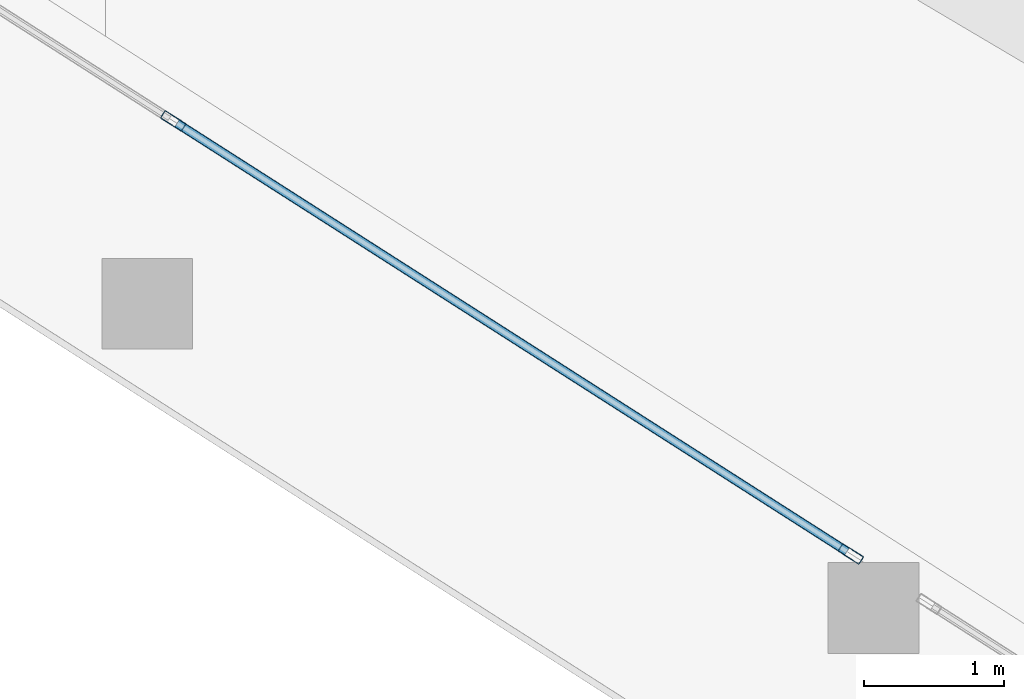
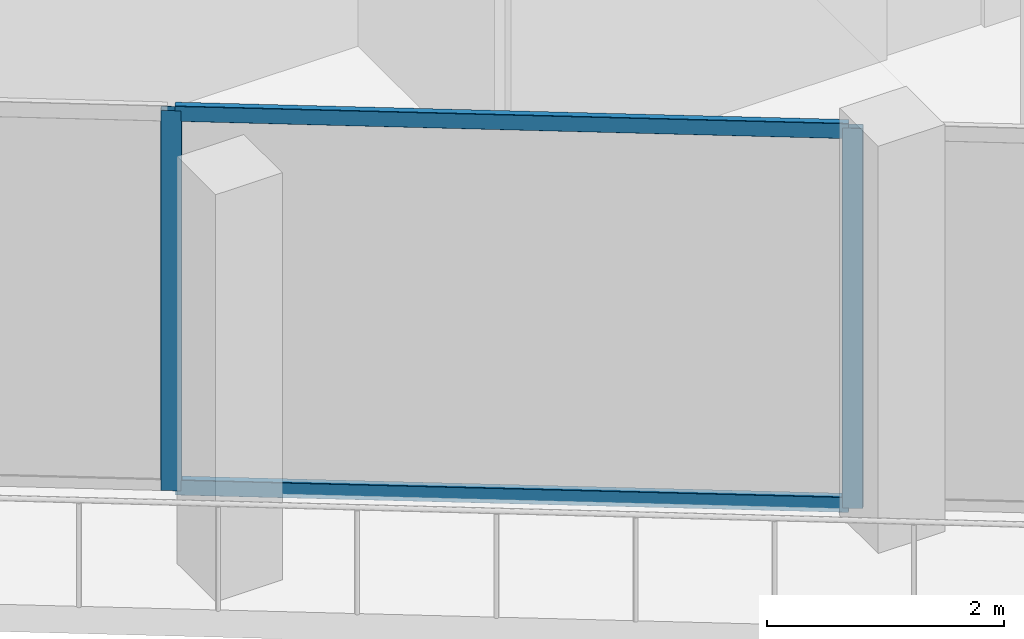
# One storey, part 5 of 44: 4 members, 1 element without a shape of its own.
"""IFC4 building model written with IfcOpenShell, lengths in metres."""

from ifc_helpers import new_model, si_unit, direction, frame, origin, origin_2d, place, context, subcontext, project, spatial, hollow_rectangle, extrude, material, layer, layer_set, material_profile, profile_set, type_object, element, aggregate, save


model = new_model("IFC4")

# Units and contexts
model_context = context("Model", 3, precision=1e-05, world=origin(), true_north=direction((0.0, 1.0)))
body_context = subcontext(model_context, "Body", "Model", "MODEL_VIEW")
ifc_project = project(units=[si_unit("LENGTHUNIT", "METRE"), si_unit("AREAUNIT", "SQUARE_METRE"), si_unit("VOLUMEUNIT", "CUBIC_METRE"), si_unit("PLANEANGLEUNIT", "RADIAN"), si_unit("MASSUNIT", "GRAM", prefix="KILO")], contexts=[model_context])

# Site, building, storey
site_placement = place(None, origin())
site = spatial("IfcSite", under=ifc_project, at=site_placement, CompositionType="ELEMENT")
building_placement = place(site_placement, origin())
building = spatial("IfcBuilding", under=site, at=building_placement, Name="Qorvath Tower", CompositionType="ELEMENT")
storey_placement = place(building_placement, frame((0.0, 0.0, 57.60009765625)))
storey = spatial("IfcBuildingStorey", under=building, at=storey_placement, Name="L12", CompositionType="ELEMENT", Elevation=57.60009765625)

# Curtain wall, members
ifc_material_1 = material(Name="Anodised aluminium and triple low-E glass", Category="aluminium")
ifc_layer = layer(ifc_material_1, 0.179931640625)
ifc_layer_set = layer_set([ifc_layer], Name="CW-SYS-2")
curtain_wall_type = type_object("IfcCurtainWallType", Name="CW-SYS-2", PredefinedType="NOTDEFINED", material=ifc_layer_set)
curtain_wall_placement = place(storey_placement, origin())
curtain_wall = element("IfcCurtainWall", 1, at=curtain_wall_placement, inside=storey, type_object=curtain_wall_type, Name="Curtain Wall CW-2 CW-T-L12-2.1", PredefinedType="NOTDEFINED")
ifc_material_2 = material(Name="Anodised aluminium 6063-T6", Category="aluminium")
ifc_material_profile_1 = material_profile(ifc_material_2, hollow_rectangle(XDim=0.06494140625, YDim=0.179931640625, WallThickness=0.00341796875, InnerFilletRadius=0.00341796875, OuterFilletRadius=0.007080078125, at=origin_2d()), Name="CWM 180x65")
ifc_profile_set_1 = profile_set([ifc_material_profile_1], Name="Anodised aluminium 6063-T6")
member_type_1 = type_object("IfcMemberType", Name="CWM-180", PredefinedType="MULLION", material=ifc_profile_set_1)
member_1_placement = place(storey_placement, frame((-45.350341796875, -13.465087890625, 0.0), z_axis=(0.0, 0.0, 1.0), x_axis=(0.53852960651, 0.842606588458, 0.0)))
member_1 = element("IfcMember", 2, at=member_1_placement, type_object=member_type_1, Name="CW-2 mullion 4", PredefinedType="MULLION", context=body_context, shape_type="SweptSolid", body=[
    extrude(hollow_rectangle(XDim=0.06494140625, YDim=0.179931640625, WallThickness=0.00341796875, InnerFilletRadius=0.00341796875, OuterFilletRadius=0.007080078125, at=origin_2d()), origin(), (0.0, 0.0, 1.0), 3.919921875),
])
member_2_placement = place(storey_placement, frame((-40.4951171875, -16.568115234375, 0.0), z_axis=(0.0, 0.0, 1.0), x_axis=(0.53852960651, 0.842606588458, 0.0)))
member_2 = element("IfcMember", 3, at=member_2_placement, type_object=member_type_1, Name="CW-2 mullion 5", PredefinedType="MULLION", context=body_context, shape_type="SweptSolid", body=[
    extrude(hollow_rectangle(XDim=0.06494140625, YDim=0.179931640625, WallThickness=0.00341796875, InnerFilletRadius=0.00341796875, OuterFilletRadius=0.007080078125, at=origin_2d()), origin(), (0.0, 0.0, 1.0), 3.919921875),
])
ifc_material_3 = material(Name="Anodised aluminium 6063-T6", Category="aluminium")
ifc_material_profile_2 = material_profile(ifc_material_3, hollow_rectangle(XDim=0.06494140625, YDim=0.159912109375, WallThickness=0.00341796875, InnerFilletRadius=0.00341796875, OuterFilletRadius=0.007080078125, at=origin_2d()), Name="CWT 160x65")
ifc_profile_set_2 = profile_set([ifc_material_profile_2], Name="Anodised aluminium 6063-T6")
member_type_2 = type_object("IfcMemberType", Name="CWT-160", PredefinedType="USERDEFINED", material=ifc_profile_set_2)
member_3_placement = place(storey_placement, frame((-45.322998046875, -13.482666015625, 0.032470703125), z_axis=(0.842608218997, -0.538527055289, 0.0), x_axis=(0.538527055289, 0.842608218997, 0.0)))
member_3 = element("IfcMember", 4, at=member_3_placement, type_object=member_type_2, Name="CW-2 transom 4.1", ObjectType="TRANSOM", PredefinedType="USERDEFINED", context=body_context, shape_type="SweptSolid", body=[
    extrude(hollow_rectangle(XDim=0.06494140625, YDim=0.159912109375, WallThickness=0.00341796875, InnerFilletRadius=0.00341796875, OuterFilletRadius=0.007080078125, at=origin_2d()), origin(), (0.0, 0.0, 1.0), 5.697265625),
])
member_4_placement = place(storey_placement, frame((-45.322998046875, -13.482666015625, 3.887451171875), z_axis=(0.842608218997, -0.538527055289, 0.0), x_axis=(0.538527055289, 0.842608218997, 0.0)))
member_4 = element("IfcMember", 5, at=member_4_placement, type_object=member_type_2, Name="CW-2 transom 4.2", ObjectType="TRANSOM", PredefinedType="USERDEFINED", context=body_context, shape_type="SweptSolid", body=[
    extrude(hollow_rectangle(XDim=0.06494140625, YDim=0.159912109375, WallThickness=0.00341796875, InnerFilletRadius=0.00341796875, OuterFilletRadius=0.007080078125, at=origin_2d()), origin(), (0.0, 0.0, 1.0), 5.697265625),
])
aggregate(curtain_wall, [member_1, member_2, member_3, member_4])

save(model, "model.ifc")
